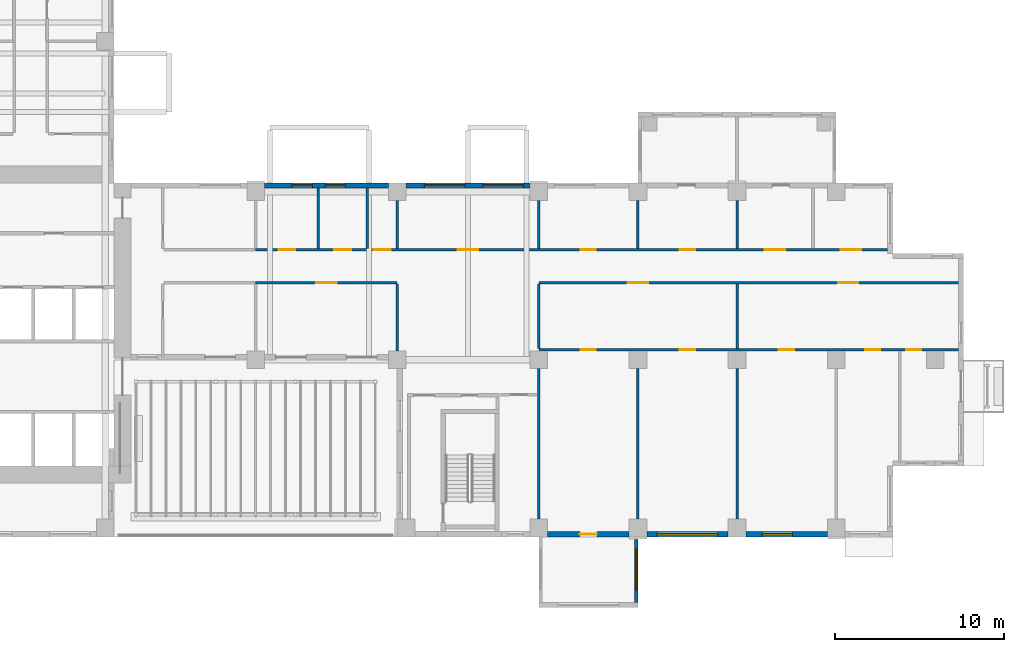
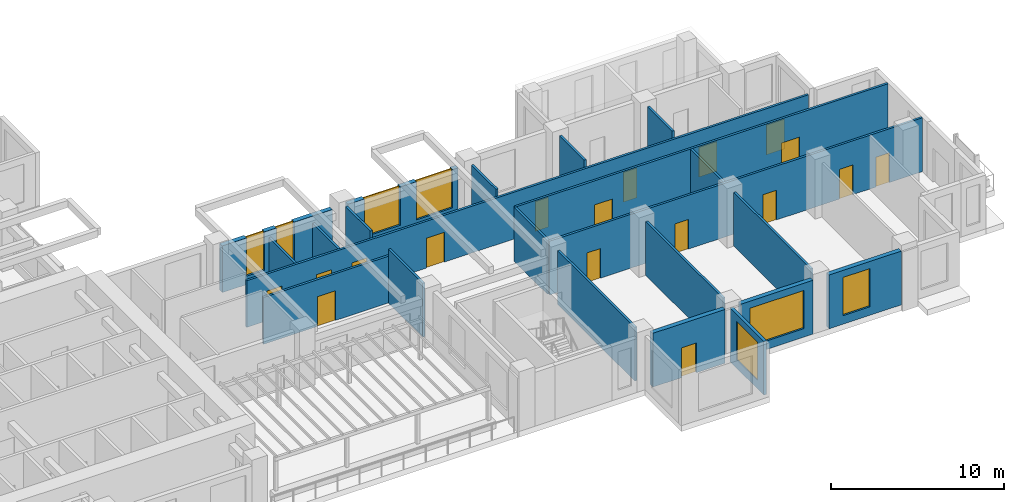
# One storey, part 6 of 15: 22 walls, 17 doors, 7 windows, 24 openings.
"""IFC4 building model written with IfcOpenShell, lengths in metres."""

from ifc_helpers import new_model, si_unit, direction, frame, frame_2d, origin, place, context, subcontext, project, spatial, rectangle, extrude, source, transform, mapped, material, layer, layer_set, type_object, element, fill, save


model = new_model("IFC4")

# Units and contexts
model_context = context("Model", 3, precision=1e-05, world=origin(), true_north=direction((0.0, 1.0)))
body_context = subcontext(model_context, "Body", "Model", "MODEL_VIEW")
ifc_project = project(units=[si_unit("LENGTHUNIT", "METRE"), si_unit("AREAUNIT", "SQUARE_METRE"), si_unit("VOLUMEUNIT", "CUBIC_METRE"), si_unit("PLANEANGLEUNIT", "RADIAN"), si_unit("MASSUNIT", "GRAM", prefix="KILO")], contexts=[model_context])

# Site, building, storey
site_placement = place(None, origin())
site = spatial("IfcSite", under=ifc_project, at=site_placement, CompositionType="ELEMENT")
building_placement = place(site_placement, origin())
building = spatial("IfcBuilding", under=site, at=building_placement, Name="Aurelian Terraces", CompositionType="ELEMENT")
storey_placement = place(building_placement, frame((0.0, 0.0, 145.5)))
storey = spatial("IfcBuildingStorey", under=building, at=storey_placement, Name="L32", CompositionType="ELEMENT", Elevation=145.5)

# Wall, opening, window
ifc_material_1 = material(Name="Concrete fc' 40 MPa", Category="concrete")
ifc_layer_1 = layer(ifc_material_1, 0.2)
ifc_layer_set_1 = layer_set([ifc_layer_1], Name="BOX BEARING WALL 200")
wall_type_1 = type_object("IfcWallType", Name="BOX BEARING WALL 200", PredefinedType="SOLIDWALL", material=ifc_layer_set_1)
shared_shape_1 = source(origin(), body_context, "Body", "SweptSolid", [
    extrude(rectangle(XDim=3.9, YDim=0.2, at=frame_2d((1.95, 0.0))), origin(), (0.0, 0.0, 1.0), 3.79),
])
wall_1_placement = place(storey_placement, frame((51.98, 0.0, 0.0), z_axis=(0.0, 0.0, 1.0), x_axis=(0.0, -1.0, 0.0)))
wall_1 = element("IfcWall", 1, at=wall_1_placement, inside=storey, type_object=wall_type_1, Name="Box return L32 J45.2", PredefinedType="SOLIDWALL", context=body_context, shape_type="MappedRepresentation", body=[
    mapped(shared_shape_1, transform((0.0, 0.0, 0.0), scale=1.0)),
])
shared_shape_2 = source(origin(), body_context, "Body", "SweptSolid", [
    extrude(rectangle(XDim=2.4, YDim=2.7, at=frame_2d((1.2, 1.35))), frame((0.0, 0.11, 0.0), z_axis=(0.0, -1.0, 0.0), x_axis=(1.0, 0.0, 0.0)), (0.0, 0.0, 1.0), 0.22),
])
opening_1_placement = place(wall_1_placement, frame((0.75, 0.0, 0.6)))
opening_1 = element("IfcOpeningElement", 2, at=opening_1_placement, cuts=wall_1, Name="Opening W2427", PredefinedType="OPENING", context=body_context, shape_type="MappedRepresentation", body=[
    mapped(shared_shape_2, transform((0.0, 0.0, 0.0), scale=1.0)),
])
ifc_material_2 = material(Name="Clear glazing", Category="glass")
window_type_1 = type_object("IfcWindowType", Name="W-2400x2700", PartitioningType="SINGLE_PANEL", PredefinedType="WINDOW", material=ifc_material_2)
shared_shape_3 = source(origin(), body_context, "Body", "SweptSolid", [
    extrude(rectangle(XDim=2.4, YDim=2.7, at=frame_2d((1.2, 1.35))), frame((0.0, 0.03, 0.0), z_axis=(0.0, -1.0, 0.0), x_axis=(1.0, 0.0, 0.0)), (0.0, 0.0, 1.0), 0.06),
])
window_1_placement = place(opening_1_placement, origin())
window_1 = element("IfcWindow", 3, at=window_1_placement, inside=storey, type_object=window_type_1, Name="Window L32 J45-S2", OverallHeight=2.7, OverallWidth=2.4, PartitioningType="SINGLE_PANEL", PredefinedType="WINDOW", context=body_context, shape_type="MappedRepresentation", body=[
    mapped(shared_shape_3, transform((0.0, 0.0, 0.0), scale=1.0)),
])
fill(opening_1, window_1)

# Wall, opening, door
ifc_material_3 = material(Name="Terracotta rainscreen cladding", Category="masonry")
ifc_layer_2 = layer(ifc_material_3, 0.3)
ifc_layer_set_2 = layer_set([ifc_layer_2], Name="EW-300")
wall_type_2 = type_object("IfcWallType", Name="EW-300", PredefinedType="STANDARD", material=ifc_layer_set_2)
shared_shape_4 = source(origin(), body_context, "Body", "SweptSolid", [
    extrude(rectangle(XDim=4.83, YDim=0.3, at=frame_2d((2.415, 0.0))), origin(), (0.0, 0.0, 1.0), 3.8),
])
wall_2_placement = place(storey_placement, frame((46.725, 0.15, 0.0), z_axis=(0.0, 0.0, 1.0), x_axis=(1.0, 0.0, 0.0)))
wall_2 = element("IfcWall", 4, at=wall_2_placement, inside=storey, type_object=wall_type_2, Name="External wall L32 F05.10", PredefinedType="STANDARD", context=body_context, shape_type="MappedRepresentation", body=[
    mapped(shared_shape_4, transform((0.0, 0.0, 0.0), scale=1.0)),
])
shared_shape_5 = source(origin(), body_context, "Body", "SweptSolid", [
    extrude(rectangle(XDim=1.0, YDim=2.1, at=frame_2d((0.5, 1.05))), frame((0.0, 0.16, 0.0), z_axis=(0.0, -1.0, 0.0), x_axis=(1.0, 0.0, 0.0)), (0.0, 0.0, 1.0), 0.32),
])
opening_2_placement = place(wall_2_placement, frame((1.915, 0.0, 0.0)))
opening_2 = element("IfcOpeningElement", 5, at=opening_2_placement, cuts=wall_2, Name="Opening 832001", PredefinedType="OPENING", context=body_context, shape_type="MappedRepresentation", body=[
    mapped(shared_shape_5, transform((0.0, 0.0, 0.0), scale=1.0)),
])
ifc_material_4 = material(Name="Timber door leaf", Category="wood")
door_type_1 = type_object("IfcDoorType", Name="Room door 1000x2100 left", OperationType="SINGLE_SWING_LEFT", PredefinedType="DOOR", material=ifc_material_4)
shared_shape_6 = source(origin(), body_context, "Body", "SweptSolid", [
    extrude(rectangle(XDim=1.0, YDim=2.1, at=frame_2d((0.5, 1.05))), frame((0.0, 0.025, 0.0), z_axis=(0.0, -1.0, 0.0), x_axis=(1.0, 0.0, 0.0)), (0.0, 0.0, 1.0), 0.05),
])
door_1_placement = place(opening_2_placement, origin())
door_1 = element("IfcDoor", 6, at=door_1_placement, inside=storey, type_object=door_type_1, Name="Door 832001", OperationType="SINGLE_SWING_LEFT", OverallHeight=2.1, OverallWidth=1.0, PredefinedType="DOOR", context=body_context, shape_type="MappedRepresentation", body=[
    mapped(shared_shape_6, transform((0.0, 0.0, 0.0), scale=1.0)),
])
fill(opening_2, door_1)

# Wall, opening, window
wall_3_placement = place(storey_placement, frame((52.605, 0.15, 0.0), z_axis=(0.0, 0.0, 1.0), x_axis=(1.0, 0.0, 0.0)))
wall_3 = element("IfcWall", 7, at=wall_3_placement, inside=storey, type_object=wall_type_2, Name="External wall L32 F05.11", PredefinedType="STANDARD", context=body_context, shape_type="MappedRepresentation", body=[
    mapped(shared_shape_4, transform((0.0, 0.0, 0.0), scale=1.0)),
])
shared_shape_7 = source(origin(), body_context, "Body", "SweptSolid", [
    extrude(rectangle(XDim=3.6, YDim=2.7, at=frame_2d((1.8, 1.35))), frame((0.0, 0.16, 0.0), z_axis=(0.0, -1.0, 0.0), x_axis=(1.0, 0.0, 0.0)), (0.0, 0.0, 1.0), 0.32),
])
opening_3_placement = place(wall_3_placement, frame((0.615, 0.0, 0.6)))
opening_3 = element("IfcOpeningElement", 8, at=opening_3_placement, cuts=wall_3, Name="Opening W3627", PredefinedType="OPENING", context=body_context, shape_type="MappedRepresentation", body=[
    mapped(shared_shape_7, transform((0.0, 0.0, 0.0), scale=1.0)),
])
window_type_2 = type_object("IfcWindowType", Name="W-3600x2700", PartitioningType="SINGLE_PANEL", PredefinedType="WINDOW", material=ifc_material_2)
shared_shape_8 = source(origin(), body_context, "Body", "SweptSolid", [
    extrude(rectangle(XDim=3.6, YDim=2.7, at=frame_2d((1.8, 1.35))), frame((0.0, 0.03, 0.0), z_axis=(0.0, -1.0, 0.0), x_axis=(1.0, 0.0, 0.0)), (0.0, 0.0, 1.0), 0.06),
])
window_2_placement = place(opening_3_placement, origin())
window_2 = element("IfcWindow", 9, at=window_2_placement, inside=storey, type_object=window_type_2, Name="Window L32 L32-F05-11-0", OverallHeight=2.7, OverallWidth=3.6, PartitioningType="SINGLE_PANEL", PredefinedType="WINDOW", context=body_context, shape_type="MappedRepresentation", body=[
    mapped(shared_shape_8, transform((0.0, 0.0, 0.0), scale=1.0)),
])
fill(opening_3, window_2)

wall_4_placement = place(storey_placement, frame((58.485, 0.15, 0.0), z_axis=(0.0, 0.0, 1.0), x_axis=(1.0, 0.0, 0.0)))
wall_4 = element("IfcWall", 10, at=wall_4_placement, inside=storey, type_object=wall_type_2, Name="External wall L32 F05.12", PredefinedType="STANDARD", context=body_context, shape_type="MappedRepresentation", body=[
    mapped(shared_shape_4, transform((0.0, 0.0, 0.0), scale=1.0)),
])
shared_shape_9 = source(origin(), body_context, "Body", "SweptSolid", [
    extrude(rectangle(XDim=1.8, YDim=2.7, at=frame_2d((0.9, 1.35))), frame((0.0, 0.16, 0.0), z_axis=(0.0, -1.0, 0.0), x_axis=(1.0, 0.0, 0.0)), (0.0, 0.0, 1.0), 0.32),
])
opening_4_placement = place(wall_4_placement, frame((0.9525, 0.0, 0.6)))
opening_4 = element("IfcOpeningElement", 11, at=opening_4_placement, cuts=wall_4, Name="Opening W1827", PredefinedType="OPENING", context=body_context, shape_type="MappedRepresentation", body=[
    mapped(shared_shape_9, transform((0.0, 0.0, 0.0), scale=1.0)),
])
window_type_3 = type_object("IfcWindowType", Name="W-1800x2700", PartitioningType="SINGLE_PANEL", PredefinedType="WINDOW", material=ifc_material_2)
shared_shape_10 = source(origin(), body_context, "Body", "SweptSolid", [
    extrude(rectangle(XDim=1.8, YDim=2.7, at=frame_2d((0.9, 1.35))), frame((0.0, 0.03, 0.0), z_axis=(0.0, -1.0, 0.0), x_axis=(1.0, 0.0, 0.0)), (0.0, 0.0, 1.0), 0.06),
])
window_3_placement = place(opening_4_placement, origin())
window_3 = element("IfcWindow", 12, at=window_3_placement, inside=storey, type_object=window_type_3, Name="Window L32 L32-F05-12-0", OverallHeight=2.7, OverallWidth=1.8, PartitioningType="SINGLE_PANEL", PredefinedType="WINDOW", context=body_context, shape_type="MappedRepresentation", body=[
    mapped(shared_shape_10, transform((0.0, 0.0, 0.0), scale=1.0)),
])
fill(opening_4, window_3)

# Wall, openings, windows
shared_shape_11 = source(origin(), body_context, "Body", "SweptSolid", [
    extrude(rectangle(XDim=7.35, YDim=0.3, at=frame_2d((3.675, 0.0))), origin(), (0.0, 0.0, 1.0), 3.3),
])
wall_5_placement = place(storey_placement, frame((45.675, 20.85, 0.0), z_axis=(0.0, 0.0, 1.0), x_axis=(-1.0, 0.0, 0.0)))
wall_5 = element("IfcWall", 13, at=wall_5_placement, inside=storey, type_object=wall_type_2, Name="External wall L32 F11.23", PredefinedType="STANDARD", context=body_context, shape_type="MappedRepresentation", body=[
    mapped(shared_shape_11, transform((0.0, 0.0, 0.0), scale=1.0)),
])
shared_shape_12 = source(origin(), body_context, "Body", "SweptSolid", [
    extrude(rectangle(XDim=2.4, YDim=2.7, at=frame_2d((1.2, 1.35))), frame((0.0, 0.16, 0.0), z_axis=(0.0, -1.0, 0.0), x_axis=(1.0, 0.0, 0.0)), (0.0, 0.0, 1.0), 0.32),
])
opening_5_placement = place(wall_5_placement, frame((0.375, 0.0, 0.6)))
opening_5 = element("IfcOpeningElement", 14, at=opening_5_placement, cuts=wall_5, Name="Opening W2427", PredefinedType="OPENING", context=body_context, shape_type="MappedRepresentation", body=[
    mapped(shared_shape_12, transform((0.0, 0.0, 0.0), scale=1.0)),
])
opening_6_placement = place(wall_5_placement, frame((3.8625, 0.0, 0.6)))
opening_6 = element("IfcOpeningElement", 15, at=opening_6_placement, cuts=wall_5, Name="Opening W2427", PredefinedType="OPENING", context=body_context, shape_type="MappedRepresentation", body=[
    mapped(shared_shape_12, transform((0.0, 0.0, 0.0), scale=1.0)),
])
window_4_placement = place(opening_5_placement, origin())
window_4 = element("IfcWindow", 16, at=window_4_placement, inside=storey, type_object=window_type_1, Name="Window L32 L32-F11-23-0", OverallHeight=2.7, OverallWidth=2.4, PartitioningType="SINGLE_PANEL", PredefinedType="WINDOW", context=body_context, shape_type="MappedRepresentation", body=[
    mapped(shared_shape_3, transform((0.0, 0.0, 0.0), scale=1.0)),
])
fill(opening_5, window_4)
window_5_placement = place(opening_6_placement, origin())
window_5 = element("IfcWindow", 17, at=window_5_placement, inside=storey, type_object=window_type_1, Name="Window L32 L32-F11-23-G0-33", OverallHeight=2.7, OverallWidth=2.4, PartitioningType="SINGLE_PANEL", PredefinedType="WINDOW", context=body_context, shape_type="MappedRepresentation", body=[
    mapped(shared_shape_3, transform((0.0, 0.0, 0.0), scale=1.0)),
])
fill(opening_6, window_5)

wall_6_placement = place(storey_placement, frame((37.275, 20.85, 0.0), z_axis=(0.0, 0.0, 1.0), x_axis=(-1.0, 0.0, 0.0)))
wall_6 = element("IfcWall", 18, at=wall_6_placement, inside=storey, type_object=wall_type_2, Name="External wall L32 F11.23", PredefinedType="STANDARD", context=body_context, shape_type="MappedRepresentation", body=[
    mapped(shared_shape_11, transform((0.0, 0.0, 0.0), scale=1.0)),
])
shared_shape_13 = source(origin(), body_context, "Body", "SweptSolid", [
    extrude(rectangle(XDim=1.2, YDim=2.7, at=frame_2d((0.6, 1.35))), frame((0.0, 0.16, 0.0), z_axis=(0.0, -1.0, 0.0), x_axis=(1.0, 0.0, 0.0)), (0.0, 0.0, 1.0), 0.32),
])
opening_7_placement = place(wall_6_placement, frame((2.541, 0.0, 0.6)))
opening_7 = element("IfcOpeningElement", 19, at=opening_7_placement, cuts=wall_6, Name="Opening W1227", PredefinedType="OPENING", context=body_context, shape_type="MappedRepresentation", body=[
    mapped(shared_shape_13, transform((0.0, 0.0, 0.0), scale=1.0)),
])
opening_8_placement = place(wall_6_placement, frame((4.516, 0.0, 0.6)))
opening_8 = element("IfcOpeningElement", 20, at=opening_8_placement, cuts=wall_6, Name="Opening W1227", PredefinedType="OPENING", context=body_context, shape_type="MappedRepresentation", body=[
    mapped(shared_shape_13, transform((0.0, 0.0, 0.0), scale=1.0)),
])
window_type_4 = type_object("IfcWindowType", Name="W-1200x2700", PartitioningType="SINGLE_PANEL", PredefinedType="WINDOW", material=ifc_material_2)
shared_shape_14 = source(origin(), body_context, "Body", "SweptSolid", [
    extrude(rectangle(XDim=1.2, YDim=2.7, at=frame_2d((0.6, 1.35))), frame((0.0, 0.03, 0.0), z_axis=(0.0, -1.0, 0.0), x_axis=(1.0, 0.0, 0.0)), (0.0, 0.0, 1.0), 0.06),
])
window_6_placement = place(opening_7_placement, origin())
window_6 = element("IfcWindow", 21, at=window_6_placement, inside=storey, type_object=window_type_4, Name="Window L32 L32-F11-23-2.1", OverallHeight=2.7, OverallWidth=1.2, PartitioningType="SINGLE_PANEL", PredefinedType="WINDOW", context=body_context, shape_type="MappedRepresentation", body=[
    mapped(shared_shape_14, transform((0.0, 0.0, 0.0), scale=1.0)),
])
fill(opening_7, window_6)
window_7_placement = place(opening_8_placement, origin())
window_7 = element("IfcWindow", 22, at=window_7_placement, inside=storey, type_object=window_type_4, Name="Window L32 L32-F11-23-2.2", OverallHeight=2.7, OverallWidth=1.2, PartitioningType="SINGLE_PANEL", PredefinedType="WINDOW", context=body_context, shape_type="MappedRepresentation", body=[
    mapped(shared_shape_14, transform((0.0, 0.0, 0.0), scale=1.0)),
])
fill(opening_8, window_7)

# Wall, openings, doors
ifc_material_5 = material(Name="Gypsum board on steel studs", Category="steel")
ifc_layer_3 = layer(ifc_material_5, 0.15)
ifc_layer_set_3 = layer_set([ifc_layer_3], Name="Partition 150")
wall_type_3 = type_object("IfcWallType", Name="Partition 150", PredefinedType="PARTITIONING", material=ifc_layer_set_3)
shared_shape_15 = source(origin(), body_context, "Body", "SweptSolid", [
    extrude(rectangle(XDim=24.9, YDim=0.15, at=frame_2d((12.45, 0.0))), origin(), (0.0, 0.0, 1.0), 3.8),
])
wall_7_placement = place(storey_placement, frame((71.1, 11.1, 0.0), z_axis=(0.0, 0.0, 1.0), x_axis=(-1.0, 0.0, 0.0)))
wall_7 = element("IfcWall", 23, at=wall_7_placement, inside=storey, type_object=wall_type_3, Name="Partition", PredefinedType="PARTITIONING", context=body_context, shape_type="MappedRepresentation", body=[
    mapped(shared_shape_15, transform((0.0, 0.0, 0.0), scale=1.0)),
])
shared_shape_16 = source(origin(), body_context, "Body", "SweptSolid", [
    extrude(rectangle(XDim=0.9, YDim=2.1, at=frame_2d((0.45, 1.05))), frame((0.0, 0.085, 0.0), z_axis=(0.0, -1.0, 0.0), x_axis=(1.0, 0.0, 0.0)), (0.0, 0.0, 1.0), 0.17),
])
opening_9_placement = place(wall_7_placement, frame((21.51, 0.0, 0.0)))
opening_9 = element("IfcOpeningElement", 24, at=opening_9_placement, cuts=wall_7, Name="Opening 732006", PredefinedType="OPENING", context=body_context, shape_type="MappedRepresentation", body=[
    mapped(shared_shape_16, transform((0.0, 0.0, 0.0), scale=1.0)),
])
opening_10_placement = place(wall_7_placement, frame((15.63, 0.0, 0.0)))
opening_10 = element("IfcOpeningElement", 25, at=opening_10_placement, cuts=wall_7, Name="Opening 732007", PredefinedType="OPENING", context=body_context, shape_type="MappedRepresentation", body=[
    mapped(shared_shape_16, transform((0.0, 0.0, 0.0), scale=1.0)),
])
opening_11_placement = place(wall_7_placement, frame((9.75, 0.0, 0.0)))
opening_11 = element("IfcOpeningElement", 26, at=opening_11_placement, cuts=wall_7, Name="Opening 732009", PredefinedType="OPENING", context=body_context, shape_type="MappedRepresentation", body=[
    mapped(shared_shape_16, transform((0.0, 0.0, 0.0), scale=1.0)),
])
opening_12_placement = place(wall_7_placement, frame((4.645, 0.0, 0.0)))
opening_12 = element("IfcOpeningElement", 27, at=opening_12_placement, cuts=wall_7, Name="Opening 732010", PredefinedType="OPENING", context=body_context, shape_type="MappedRepresentation", body=[
    mapped(shared_shape_16, transform((0.0, 0.0, 0.0), scale=1.0)),
])
opening_13_placement = place(wall_7_placement, frame((2.205, 0.0, 0.0)))
opening_13 = element("IfcOpeningElement", 28, at=opening_13_placement, cuts=wall_7, Name="Opening 732011", PredefinedType="OPENING", context=body_context, shape_type="MappedRepresentation", body=[
    mapped(shared_shape_16, transform((0.0, 0.0, 0.0), scale=1.0)),
])
door_type_2 = type_object("IfcDoorType", Name="Room door 900x2100 left", OperationType="SINGLE_SWING_LEFT", PredefinedType="DOOR", material=ifc_material_4)
shared_shape_17 = source(origin(), body_context, "Body", "SweptSolid", [
    extrude(rectangle(XDim=0.9, YDim=2.1, at=frame_2d((0.45, 1.05))), frame((0.0, 0.025, 0.0), z_axis=(0.0, -1.0, 0.0), x_axis=(1.0, 0.0, 0.0)), (0.0, 0.0, 1.0), 0.05),
])
door_2_placement = place(opening_9_placement, origin())
door_2 = element("IfcDoor", 29, at=door_2_placement, inside=storey, type_object=door_type_2, Name="Door 732006", OperationType="SINGLE_SWING_LEFT", OverallHeight=2.1, OverallWidth=0.9, PredefinedType="DOOR", context=body_context, shape_type="MappedRepresentation", body=[
    mapped(shared_shape_17, transform((0.0, 0.0, 0.0), scale=1.0)),
])
fill(opening_9, door_2)
door_type_3 = type_object("IfcDoorType", Name="Room door 900x2100 right", OperationType="SINGLE_SWING_RIGHT", PredefinedType="DOOR", material=ifc_material_4)
door_3_placement = place(opening_10_placement, origin())
door_3 = element("IfcDoor", 30, at=door_3_placement, inside=storey, type_object=door_type_3, Name="Door 732007", OperationType="SINGLE_SWING_RIGHT", OverallHeight=2.1, OverallWidth=0.9, PredefinedType="DOOR", context=body_context, shape_type="MappedRepresentation", body=[
    mapped(shared_shape_17, transform((0.0, 0.0, 0.0), scale=1.0)),
])
fill(opening_10, door_3)
door_4_placement = place(opening_11_placement, origin())
door_4 = element("IfcDoor", 31, at=door_4_placement, inside=storey, type_object=door_type_2, Name="Door 732009", OperationType="SINGLE_SWING_LEFT", OverallHeight=2.1, OverallWidth=0.9, PredefinedType="DOOR", context=body_context, shape_type="MappedRepresentation", body=[
    mapped(shared_shape_17, transform((0.0, 0.0, 0.0), scale=1.0)),
])
fill(opening_11, door_4)
door_5_placement = place(opening_12_placement, origin())
door_5 = element("IfcDoor", 32, at=door_5_placement, inside=storey, type_object=door_type_3, Name="Door 732010", OperationType="SINGLE_SWING_RIGHT", OverallHeight=2.1, OverallWidth=0.9, PredefinedType="DOOR", context=body_context, shape_type="MappedRepresentation", body=[
    mapped(shared_shape_17, transform((0.0, 0.0, 0.0), scale=1.0)),
])
fill(opening_12, door_5)
door_6_placement = place(opening_13_placement, origin())
door_6 = element("IfcDoor", 33, at=door_6_placement, inside=storey, type_object=door_type_2, Name="Door 732011", OperationType="SINGLE_SWING_LEFT", OverallHeight=2.1, OverallWidth=0.9, PredefinedType="DOOR", context=body_context, shape_type="MappedRepresentation", body=[
    mapped(shared_shape_17, transform((0.0, 0.0, 0.0), scale=1.0)),
])
fill(opening_13, door_6)

ifc_layer_4 = layer(ifc_material_5, 0.15)
ifc_layer_set_4 = layer_set([ifc_layer_4], Name="Fire partition 150")
wall_type_4 = type_object("IfcWallType", Name="Fire partition 150", PredefinedType="PARTITIONING", material=ifc_layer_set_4)
wall_8_placement = place(storey_placement, frame((71.1, 15.075, 0.0), z_axis=(0.0, 0.0, 1.0), x_axis=(-1.0, 0.0, 0.0)))
wall_8 = element("IfcWall", 34, at=wall_8_placement, inside=storey, type_object=wall_type_4, Name="Corridor wall", PredefinedType="PARTITIONING", context=body_context, shape_type="MappedRepresentation", body=[
    mapped(shared_shape_15, transform((0.0, 0.0, 0.0), scale=1.0)),
])
shared_shape_18 = source(origin(), body_context, "Body", "SweptSolid", [
    extrude(rectangle(XDim=1.2, YDim=2.1, at=frame_2d((0.6, 1.05))), frame((0.0, 0.085, 0.0), z_axis=(0.0, -1.0, 0.0), x_axis=(1.0, 0.0, 0.0)), (0.0, 0.0, 1.0), 0.17),
])
opening_14_placement = place(wall_8_placement, frame((18.42, 0.0, 0.0)))
opening_14 = element("IfcOpeningElement", 35, at=opening_14_placement, cuts=wall_8, Name="Opening 732005", PredefinedType="OPENING", context=body_context, shape_type="MappedRepresentation", body=[
    mapped(shared_shape_18, transform((0.0, 0.0, 0.0), scale=1.0)),
])
opening_15_placement = place(wall_8_placement, frame((5.9325, 0.0, 0.0)))
opening_15 = element("IfcOpeningElement", 36, at=opening_15_placement, cuts=wall_8, Name="Opening 732008", PredefinedType="OPENING", context=body_context, shape_type="MappedRepresentation", body=[
    mapped(shared_shape_18, transform((0.0, 0.0, 0.0), scale=1.0)),
])
door_type_4 = type_object("IfcDoorType", Name="Room door 1200x2100 right", OperationType="SINGLE_SWING_RIGHT", PredefinedType="DOOR", material=ifc_material_4)
shared_shape_19 = source(origin(), body_context, "Body", "SweptSolid", [
    extrude(rectangle(XDim=1.2, YDim=2.1, at=frame_2d((0.6, 1.05))), frame((0.0, 0.025, 0.0), z_axis=(0.0, -1.0, 0.0), x_axis=(1.0, 0.0, 0.0)), (0.0, 0.0, 1.0), 0.05),
])
door_7_placement = place(opening_14_placement, origin())
door_7 = element("IfcDoor", 37, at=door_7_placement, inside=storey, type_object=door_type_4, Name="Door 732005", OperationType="SINGLE_SWING_RIGHT", OverallHeight=2.1, OverallWidth=1.2, PredefinedType="DOOR", context=body_context, shape_type="MappedRepresentation", body=[
    mapped(shared_shape_19, transform((0.0, 0.0, 0.0), scale=1.0)),
])
fill(opening_14, door_7)
door_8_placement = place(opening_15_placement, origin())
door_8 = element("IfcDoor", 38, at=door_8_placement, inside=storey, type_object=door_type_4, Name="Door 732008", OperationType="SINGLE_SWING_RIGHT", OverallHeight=2.1, OverallWidth=1.2, PredefinedType="DOOR", context=body_context, shape_type="MappedRepresentation", body=[
    mapped(shared_shape_19, transform((0.0, 0.0, 0.0), scale=1.0)),
])
fill(opening_15, door_8)

# Walls
shared_shape_20 = source(origin(), body_context, "Body", "SweptSolid", [
    extrude(rectangle(XDim=3.6, YDim=0.15, at=frame_2d((1.8, 0.0))), origin(), (0.0, 0.0, 1.0), 2.8),
])
for number, where, z_axis, x_axis, name in (
    (39, (33.1133, 20.7, 0.0), (0.0, 0.0, 1.0), (0.0, -1.0, 0.0), "Partition"),
    (40, (36.024, 20.7, 0.0), (0.0, 0.0, 1.0), (0.0, -1.0, 0.0), "Partition"),
):
    element("IfcWall", number, at=place(storey_placement, frame(where, z_axis=z_axis, x_axis=x_axis)), inside=storey, type_object=wall_type_3, Name=name, PredefinedType="PARTITIONING", context=body_context, shape_type="MappedRepresentation", body=[
        mapped(shared_shape_20, transform((0.0, 0.0, 0.0), scale=1.0)),
    ])

# Wall, opening, door
shared_shape_21 = source(origin(), body_context, "Body", "SweptSolid", [
    extrude(rectangle(XDim=8.4, YDim=0.15, at=frame_2d((4.2, 0.0))), origin(), (0.0, 0.0, 1.0), 3.3),
])
wall_9_placement = place(storey_placement, frame((37.8, 15.075, 0.0), z_axis=(0.0, 0.0, 1.0), x_axis=(-1.0, 0.0, 0.0)))
wall_9 = element("IfcWall", 41, at=wall_9_placement, inside=storey, type_object=wall_type_4, Name="Corridor wall", PredefinedType="PARTITIONING", context=body_context, shape_type="MappedRepresentation", body=[
    mapped(shared_shape_21, transform((0.0, 0.0, 0.0), scale=1.0)),
])
opening_16_placement = place(wall_9_placement, frame((3.6, 0.0, 0.0)))
opening_16 = element("IfcOpeningElement", 42, at=opening_16_placement, cuts=wall_9, Name="Opening 732004", PredefinedType="OPENING", context=body_context, shape_type="MappedRepresentation", body=[
    mapped(shared_shape_18, transform((0.0, 0.0, 0.0), scale=1.0)),
])
door_9_placement = place(opening_16_placement, origin())
door_9 = element("IfcDoor", 43, at=door_9_placement, inside=storey, type_object=door_type_4, Name="Door 732004", OperationType="SINGLE_SWING_RIGHT", OverallHeight=2.1, OverallWidth=1.2, PredefinedType="DOOR", context=body_context, shape_type="MappedRepresentation", body=[
    mapped(shared_shape_19, transform((0.0, 0.0, 0.0), scale=1.0)),
])
fill(opening_16, door_9)

# Wall, openings, doors
shared_shape_22 = source(origin(), body_context, "Body", "SweptSolid", [
    extrude(rectangle(XDim=37.5, YDim=0.15, at=frame_2d((18.75, 0.0))), origin(), (0.0, 0.0, 1.0), 3.3),
])
wall_10_placement = place(storey_placement, frame((29.4, 17.025, 0.0), z_axis=(0.0, 0.0, 1.0), x_axis=(1.0, 0.0, 0.0)))
wall_10 = element("IfcWall", 44, at=wall_10_placement, inside=storey, type_object=wall_type_4, Name="Corridor wall", PredefinedType="PARTITIONING", context=body_context, shape_type="MappedRepresentation", body=[
    mapped(shared_shape_22, transform((0.0, 0.0, 0.0), scale=1.0)),
])
shared_shape_23 = source(origin(), body_context, "Body", "SweptSolid", [
    extrude(rectangle(XDim=1.0, YDim=2.1, at=frame_2d((0.5, 1.05))), frame((0.0, 0.085, 0.0), z_axis=(0.0, -1.0, 0.0), x_axis=(1.0, 0.0, 0.0)), (0.0, 0.0, 1.0), 0.17),
])
opening_17_placement = place(wall_10_placement, frame((1.3567, 0.0, 0.0)))
opening_17 = element("IfcOpeningElement", 45, at=opening_17_placement, cuts=wall_10, Name="Opening 732012", PredefinedType="OPENING", context=body_context, shape_type="MappedRepresentation", body=[
    mapped(shared_shape_23, transform((0.0, 0.0, 0.0), scale=1.0)),
])
opening_18_placement = place(wall_10_placement, frame((4.6686, 0.0, 0.0)))
opening_18 = element("IfcOpeningElement", 46, at=opening_18_placement, cuts=wall_10, Name="Opening 732013", PredefinedType="OPENING", context=body_context, shape_type="MappedRepresentation", body=[
    mapped(shared_shape_23, transform((0.0, 0.0, 0.0), scale=1.0)),
])
opening_19_placement = place(wall_10_placement, frame((7.012, 0.0, 0.0)))
opening_19 = element("IfcOpeningElement", 47, at=opening_19_placement, cuts=wall_10, Name="Opening 732014", PredefinedType="OPENING", context=body_context, shape_type="MappedRepresentation", body=[
    mapped(shared_shape_23, transform((0.0, 0.0, 0.0), scale=1.0)),
])
opening_20_placement = place(wall_10_placement, frame((12.0, 0.0, 0.0)))
opening_20 = element("IfcOpeningElement", 48, at=opening_20_placement, cuts=wall_10, Name="Opening 732015", PredefinedType="OPENING", context=body_context, shape_type="MappedRepresentation", body=[
    mapped(shared_shape_18, transform((0.0, 0.0, 0.0), scale=1.0)),
])
opening_21_placement = place(wall_10_placement, frame((19.29, 0.0, 0.0)))
opening_21 = element("IfcOpeningElement", 49, at=opening_21_placement, cuts=wall_10, Name="Opening 732016", PredefinedType="OPENING", context=body_context, shape_type="MappedRepresentation", body=[
    mapped(shared_shape_16, transform((0.0, 0.0, 0.0), scale=1.0)),
])
opening_22_placement = place(wall_10_placement, frame((25.17, 0.0, 0.0)))
opening_22 = element("IfcOpeningElement", 50, at=opening_22_placement, cuts=wall_10, Name="Opening 732017", PredefinedType="OPENING", context=body_context, shape_type="MappedRepresentation", body=[
    mapped(shared_shape_16, transform((0.0, 0.0, 0.0), scale=1.0)),
])
opening_23_placement = place(wall_10_placement, frame((30.2138, 0.0, 0.0)))
opening_23 = element("IfcOpeningElement", 51, at=opening_23_placement, cuts=wall_10, Name="Opening 732018", PredefinedType="OPENING", context=body_context, shape_type="MappedRepresentation", body=[
    mapped(shared_shape_18, transform((0.0, 0.0, 0.0), scale=1.0)),
])
opening_24_placement = place(wall_10_placement, frame((34.7212, 0.0, 0.0)))
opening_24 = element("IfcOpeningElement", 52, at=opening_24_placement, cuts=wall_10, Name="Opening 732019", PredefinedType="OPENING", context=body_context, shape_type="MappedRepresentation", body=[
    mapped(shared_shape_18, transform((0.0, 0.0, 0.0), scale=1.0)),
])
door_type_5 = type_object("IfcDoorType", Name="Room door 1000x2100 right", OperationType="SINGLE_SWING_RIGHT", PredefinedType="DOOR", material=ifc_material_4)
door_10_placement = place(opening_17_placement, origin())
door_10 = element("IfcDoor", 53, at=door_10_placement, inside=storey, type_object=door_type_5, Name="Door 732012", OperationType="SINGLE_SWING_RIGHT", OverallHeight=2.1, OverallWidth=1.0, PredefinedType="DOOR", context=body_context, shape_type="MappedRepresentation", body=[
    mapped(shared_shape_6, transform((0.0, 0.0, 0.0), scale=1.0)),
])
fill(opening_17, door_10)
door_11_placement = place(opening_18_placement, origin())
door_11 = element("IfcDoor", 54, at=door_11_placement, inside=storey, type_object=door_type_1, Name="Door 732013", OperationType="SINGLE_SWING_LEFT", OverallHeight=2.1, OverallWidth=1.0, PredefinedType="DOOR", context=body_context, shape_type="MappedRepresentation", body=[
    mapped(shared_shape_6, transform((0.0, 0.0, 0.0), scale=1.0)),
])
fill(opening_18, door_11)
door_12_placement = place(opening_19_placement, origin())
door_12 = element("IfcDoor", 55, at=door_12_placement, inside=storey, type_object=door_type_5, Name="Door 732014", OperationType="SINGLE_SWING_RIGHT", OverallHeight=2.1, OverallWidth=1.0, PredefinedType="DOOR", context=body_context, shape_type="MappedRepresentation", body=[
    mapped(shared_shape_6, transform((0.0, 0.0, 0.0), scale=1.0)),
])
fill(opening_19, door_12)
door_13_placement = place(opening_21_placement, origin())
door_13 = element("IfcDoor", 56, at=door_13_placement, inside=storey, type_object=door_type_3, Name="Door 732016", OperationType="SINGLE_SWING_RIGHT", OverallHeight=2.1, OverallWidth=0.9, PredefinedType="DOOR", context=body_context, shape_type="MappedRepresentation", body=[
    mapped(shared_shape_17, transform((0.0, 0.0, 0.0), scale=1.0)),
])
fill(opening_21, door_13)
door_14_placement = place(opening_22_placement, origin())
door_14 = element("IfcDoor", 57, at=door_14_placement, inside=storey, type_object=door_type_2, Name="Door 732017", OperationType="SINGLE_SWING_LEFT", OverallHeight=2.1, OverallWidth=0.9, PredefinedType="DOOR", context=body_context, shape_type="MappedRepresentation", body=[
    mapped(shared_shape_17, transform((0.0, 0.0, 0.0), scale=1.0)),
])
fill(opening_22, door_14)
door_15_placement = place(opening_20_placement, origin())
door_15 = element("IfcDoor", 58, at=door_15_placement, inside=storey, type_object=door_type_4, Name="Door 732015", OperationType="SINGLE_SWING_RIGHT", OverallHeight=2.1, OverallWidth=1.2, PredefinedType="DOOR", context=body_context, shape_type="MappedRepresentation", body=[
    mapped(shared_shape_19, transform((0.0, 0.0, 0.0), scale=1.0)),
])
fill(opening_20, door_15)
door_16_placement = place(opening_23_placement, origin())
door_16 = element("IfcDoor", 59, at=door_16_placement, inside=storey, type_object=door_type_4, Name="Door 732018", OperationType="SINGLE_SWING_RIGHT", OverallHeight=2.1, OverallWidth=1.2, PredefinedType="DOOR", context=body_context, shape_type="MappedRepresentation", body=[
    mapped(shared_shape_19, transform((0.0, 0.0, 0.0), scale=1.0)),
])
fill(opening_23, door_16)
door_type_6 = type_object("IfcDoorType", Name="Room door 1200x2100 left", OperationType="SINGLE_SWING_LEFT", PredefinedType="DOOR", material=ifc_material_4)
door_17_placement = place(opening_24_placement, origin())
door_17 = element("IfcDoor", 60, at=door_17_placement, inside=storey, type_object=door_type_6, Name="Door 732019", OperationType="SINGLE_SWING_LEFT", OverallHeight=2.1, OverallWidth=1.2, PredefinedType="DOOR", context=body_context, shape_type="MappedRepresentation", body=[
    mapped(shared_shape_19, transform((0.0, 0.0, 0.0), scale=1.0)),
])
fill(opening_24, door_17)

# Walls
shared_shape_24 = source(origin(), body_context, "Body", "SweptSolid", [
    extrude(rectangle(XDim=3.976, YDim=0.15, at=frame_2d((1.988, 0.0))), origin(), (0.0, 0.0, 1.0), 3.8),
])
wall_11_placement = place(storey_placement, frame((37.8, 11.024, 0.0), z_axis=(0.0, 0.0, 1.0), x_axis=(0.0, 1.0, 0.0)))
element("IfcWall", 61, at=wall_11_placement, inside=storey, type_object=wall_type_3, Name="Partition", PredefinedType="PARTITIONING", context=body_context, shape_type="MappedRepresentation", body=[
    mapped(shared_shape_24, transform((0.0, 0.0, 0.0), scale=1.0)),
])
shared_shape_25 = source(origin(), body_context, "Body", "SweptSolid", [
    extrude(rectangle(XDim=3.825, YDim=0.15, at=frame_2d((1.9125, 0.0))), origin(), (0.0, 0.0, 1.0), 3.8),
])
for number, where, z_axis, x_axis, name in (
    (62, (46.2, 11.175, 0.0), (0.0, 0.0, 1.0), (0.0, 1.0, 0.0), "Partition"),
    (63, (57.96, 11.175, 0.0), (0.0, 0.0, 1.0), (0.0, 1.0, 0.0), "Partition"),
):
    element("IfcWall", number, at=place(storey_placement, frame(where, z_axis=z_axis, x_axis=x_axis)), inside=storey, type_object=wall_type_3, Name=name, PredefinedType="PARTITIONING", context=body_context, shape_type="MappedRepresentation", body=[
        mapped(shared_shape_25, transform((0.0, 0.0, 0.0), scale=1.0)),
    ])
shared_shape_26 = source(origin(), body_context, "Body", "SweptSolid", [
    extrude(rectangle(XDim=8.927, YDim=0.15, at=frame_2d((4.4635, 0.0))), origin(), (0.0, 0.0, 1.0), 3.8),
])
for number, where, z_axis, x_axis, name in (
    (64, (52.08, 1.049, 0.0), (0.0, 0.0, 1.0), (0.0, 1.0, 0.0), "Partition"),
    (65, (46.2, 1.049, 0.0), (0.0, 0.0, 1.0), (0.0, 1.0, 0.0), "Partition"),
    (66, (57.96, 1.049, 0.0), (0.0, 0.0, 1.0), (0.0, 1.0, 0.0), "Partition"),
):
    element("IfcWall", number, at=place(storey_placement, frame(where, z_axis=z_axis, x_axis=x_axis)), inside=storey, type_object=wall_type_3, Name=name, PredefinedType="PARTITIONING", context=body_context, shape_type="MappedRepresentation", body=[
        mapped(shared_shape_26, transform((0.0, 0.0, 0.0), scale=1.0)),
    ])
shared_shape_27 = source(origin(), body_context, "Body", "SweptSolid", [
    extrude(rectangle(XDim=2.851, YDim=0.15, at=frame_2d((1.4255, 0.0))), origin(), (0.0, 0.0, 1.0), 3.8),
])
for number, where, z_axis, x_axis, name in (
    (67, (52.08, 19.951, 0.0), (0.0, 0.0, 1.0), (0.0, -1.0, 0.0), "Partition"),
    (68, (37.8, 17.1, 0.0), (0.0, 0.0, 1.0), (0.0, 1.0, 0.0), "Partition"),
    (69, (46.2, 17.1, 0.0), (0.0, 0.0, 1.0), (0.0, 1.0, 0.0), "Partition"),
    (70, (57.96, 17.1, 0.0), (0.0, 0.0, 1.0), (0.0, 1.0, 0.0), "Partition"),
):
    element("IfcWall", number, at=place(storey_placement, frame(where, z_axis=z_axis, x_axis=x_axis)), inside=storey, type_object=wall_type_3, Name=name, PredefinedType="PARTITIONING", context=body_context, shape_type="MappedRepresentation", body=[
        mapped(shared_shape_27, transform((0.0, 0.0, 0.0), scale=1.0)),
    ])

save(model, "model.ifc")
